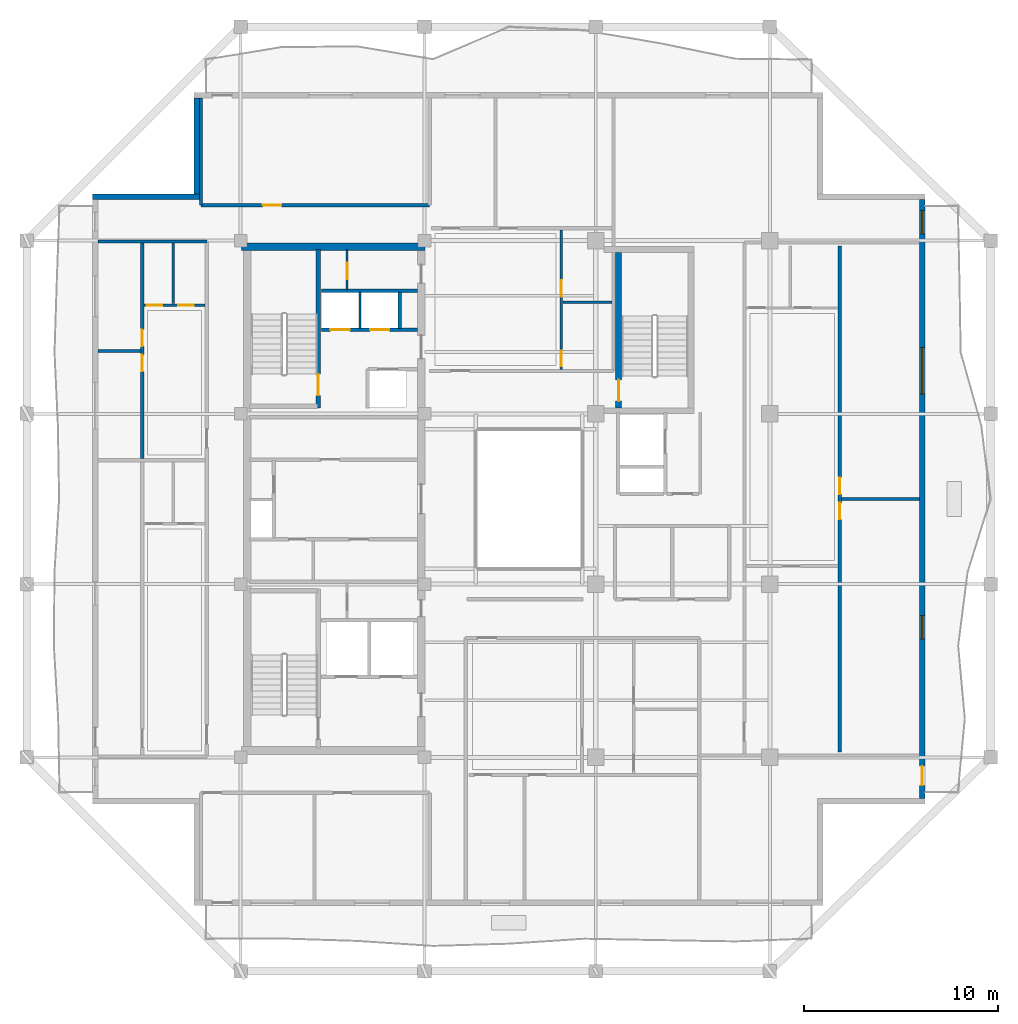
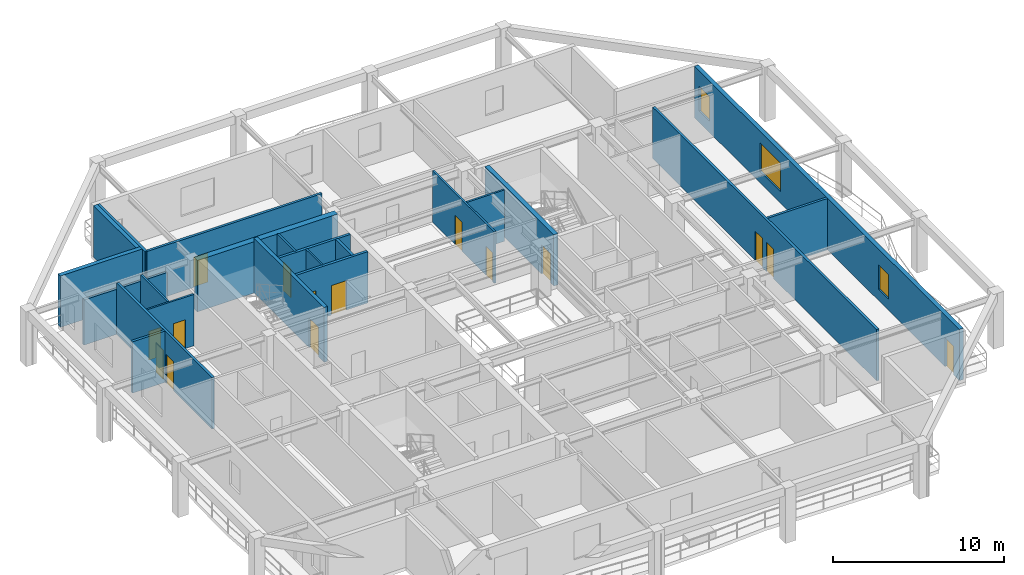
# One storey, part 5 of 11: 22 walls, 15 doors, 3 windows, 18 openings.
"""IFC4 building model written with IfcOpenShell, lengths in metres."""

from ifc_helpers import new_model, si_unit, direction, frame, frame_2d, origin, place, context, subcontext, project, spatial, rectangle, extrude, material, layer, layer_set, type_object, element, fill, save


model = new_model("IFC4")

# Units and contexts
model_context = context("Model", 3, precision=1e-05, world=origin(), true_north=direction((0.0, 1.0)))
body_context = subcontext(model_context, "Body", "Model", "MODEL_VIEW")
ifc_project = project(units=[si_unit("LENGTHUNIT", "METRE"), si_unit("AREAUNIT", "SQUARE_METRE"), si_unit("VOLUMEUNIT", "CUBIC_METRE"), si_unit("PLANEANGLEUNIT", "RADIAN"), si_unit("MASSUNIT", "GRAM", prefix="KILO")], contexts=[model_context])

# Site, building, storey
site_placement = place(None, origin())
site = spatial("IfcSite", under=ifc_project, at=site_placement, CompositionType="ELEMENT")
building_placement = place(site_placement, origin())
building = spatial("IfcBuilding", under=site, at=building_placement, Name="Kundavana Baori Tower", CompositionType="ELEMENT")
storey_placement = place(building_placement, frame((0.0, 0.0, 253.10009765625)))
storey = spatial("IfcBuildingStorey", under=building, at=storey_placement, Name="L62", CompositionType="ELEMENT", Elevation=253.10009765625)

# Wall
ifc_material_1 = material(Name="Concrete C50/60", Category="concrete")
ifc_layer_1 = layer(ifc_material_1, 0.39990234375, Name="WL-CORE-400")
ifc_layer_set_1 = layer_set([ifc_layer_1], Name="Concrete C50/60")
wall_type_1 = type_object("IfcWallType", Name="WL-CORE-400", PredefinedType="SHEAR", material=ifc_layer_set_1)
wall_1_placement = place(storey_placement, frame((15.5, 41.639892578125, 0.0), z_axis=(0.0, 0.0, 1.0), x_axis=(1.0, 0.0, 0.0)))
element("IfcWall", 1, at=wall_1_placement, inside=storey, type_object=wall_type_1, Name="L62 Offset Core North Shear Wall", PredefinedType="SHEAR", context=body_context, shape_type="SweptSolid", body=[
    extrude(rectangle(XDim=9.47998046875, YDim=0.39990234375, at=frame_2d((4.739990234375, 0.0))), origin(), (0.0, 0.0, 1.0), 3.659912109375),
])

# Wall, opening, door
wall_2_placement = place(storey_placement, frame((19.4599609375, 33.300048828125, 0.0), z_axis=(0.0, 0.0, 1.0), x_axis=(0.0, 1.0, 0.0)))
wall_2 = element("IfcWall", 2, at=wall_2_placement, inside=storey, type_object=wall_type_1, Name="WL-L62-ST2-E", PredefinedType="SHEAR", context=body_context, shape_type="SweptSolid", body=[
    extrude(rectangle(XDim=8.179931640625, YDim=0.239990234375, at=frame_2d((4.08984375, 0.0))), origin(), (0.0, 0.0, 1.0), 3.89990234375),
])
opening_1_placement = place(wall_2_placement, frame((0.64990234375, 0.0, 0.0)))
opening_1 = element("IfcOpeningElement", 3, at=opening_1_placement, cuts=wall_2, Name="Opening FD-110", PredefinedType="OPENING", context=body_context, shape_type="SweptSolid", body=[
    extrude(rectangle(XDim=1.10009765625, YDim=2.10009765625, at=frame_2d((0.550048828125, 1.050048828125))), frame((0.0, 0.1298828125, 0.0), z_axis=(0.0, -1.0, 0.0), x_axis=(1.0, 0.0, 0.0)), (0.0, 0.0, 1.0), 0.260009765625),
])
ifc_material_2 = material(Name="Galvanised Steel Fire-Rated Door Leaf", Category="steel")
door_type_1 = type_object("IfcDoorType", Name="DR-FD120-1100", OperationType="NOTDEFINED", PredefinedType="DOOR", material=ifc_material_2)
door_1_placement = place(opening_1_placement, origin())
door_1 = element("IfcDoor", 4, at=door_1_placement, inside=storey, type_object=door_type_1, Name="DR-L62-ST2", OperationType="SINGLE_SWING_RIGHT", OverallHeight=2.10009765625, OverallWidth=1.10009765625, PredefinedType="DOOR", context=body_context, shape_type="SweptSolid", body=[
    extrude(rectangle(XDim=1.10009765625, YDim=2.10009765625, at=frame_2d((0.550048828125, 1.050048828125))), frame((0.0, 0.02490234375, 0.0), z_axis=(0.0, -1.0, 0.0), x_axis=(1.0, 0.0, 0.0)), (0.0, 0.0, 1.0), 0.050048828125),
])
fill(opening_1, door_1)

# Wall, openings, door, windows
ifc_material_3 = material(Name="Red-Buff Dholpur Sandstone Cladding on Concrete C40/50", Category="masonry")
ifc_layer_2 = layer(ifc_material_3, 0.280029296875, Name="WL-EXT-SAND-280")
ifc_layer_set_2 = layer_set([ifc_layer_2], Name="Red-Buff Dholpur Sandstone Cladding on Concrete C40/50")
wall_type_2 = type_object("IfcWallType", Name="WL-EXT-SAND-280", PredefinedType="STANDARD", material=ifc_layer_set_2)
wall_3_placement = place(storey_placement, frame((50.659912109375, 13.1298828125, 0.0), z_axis=(0.0, 0.0, 1.0), x_axis=(0.0, 1.0, 0.0)))
wall_3 = element("IfcWall", 5, at=wall_3_placement, inside=storey, type_object=wall_type_2, Name="L62 Exterior Insulated Facade Wall 04", PredefinedType="STANDARD", context=body_context, shape_type="SweptSolid", body=[
    extrude(rectangle(XDim=30.940185546875, YDim=0.280029296875, at=frame_2d((15.47021484375, 0.0))), origin(), (0.0, 0.0, 1.0), 3.659912109375),
])
opening_2_placement = place(wall_3_placement, frame((0.669921875, 0.0, 0.0)))
opening_2 = element("IfcOpeningElement", 6, at=opening_2_placement, cuts=wall_3, Name="Opening BD-1", PredefinedType="OPENING", context=body_context, shape_type="SweptSolid", body=[
    extrude(rectangle(XDim=1.0, YDim=2.050048828125, at=frame_2d((0.5, 1.02490234375))), frame((0.0, 0.14990234375, 0.0), z_axis=(0.0, -1.0, 0.0), x_axis=(1.0, 0.0, 0.0)), (0.0, 0.0, 1.0), 0.300048828125),
])
opening_3_placement = place(wall_3_placement, frame((8.2451171875, 0.0, 0.800048828125)))
opening_3 = element("IfcOpeningElement", 7, at=opening_3_placement, cuts=wall_3, Name="Opening W-03", PredefinedType="OPENING", context=body_context, shape_type="SweptSolid", body=[
    extrude(rectangle(XDim=1.199951171875, YDim=1.75, at=frame_2d((0.60009765625, 0.875))), frame((0.0, 0.14990234375, 0.0), z_axis=(0.0, -1.0, 0.0), x_axis=(1.0, 0.0, 0.0)), (0.0, 0.0, 1.0), 0.300048828125),
])
opening_4_placement = place(wall_3_placement, frame((20.89501953125, 0.0, 0.800048828125)))
opening_4 = element("IfcOpeningElement", 8, at=opening_4_placement, cuts=wall_3, Name="Opening W-04", PredefinedType="OPENING", context=body_context, shape_type="SweptSolid", body=[
    extrude(rectangle(XDim=2.39990234375, YDim=2.050048828125, at=frame_2d((1.199951171875, 1.02490234375))), frame((0.0, 0.14990234375, 0.0), z_axis=(0.0, -1.0, 0.0), x_axis=(1.0, 0.0, 0.0)), (0.0, 0.0, 1.0), 0.300048828125),
])
opening_5_placement = place(wall_3_placement, frame((29.175048828125, 0.0, 0.800048828125)))
opening_5 = element("IfcOpeningElement", 9, at=opening_5_placement, cuts=wall_3, Name="Opening W-03", PredefinedType="OPENING", context=body_context, shape_type="SweptSolid", body=[
    extrude(rectangle(XDim=1.199951171875, YDim=1.75, at=frame_2d((0.60009765625, 0.875))), frame((0.0, 0.14990234375, 0.0), z_axis=(0.0, -1.0, 0.0), x_axis=(1.0, 0.0, 0.0)), (0.0, 0.0, 1.0), 0.300048828125),
])
ifc_material_4 = material(Name="Architectural Patinated Bronze Metalwork")
door_type_2 = type_object("IfcDoorType", Name="DR-EXT-LOG-1000", OperationType="NOTDEFINED", PredefinedType="DOOR", material=ifc_material_4)
door_2_placement = place(opening_2_placement, frame((1.0, 0.0, 0.0), z_axis=(0.0, 0.0, 1.0), x_axis=(-1.0, 0.0, 0.0)))
door_2 = element("IfcDoor", 10, at=door_2_placement, inside=storey, type_object=door_type_2, Name="L62 Loggia Balcony Access Door E", OperationType="SINGLE_SWING_RIGHT", OverallHeight=2.050048828125, OverallWidth=1.0, PredefinedType="DOOR", context=body_context, shape_type="SweptSolid", body=[
    extrude(rectangle(XDim=1.0, YDim=2.050048828125, at=frame_2d((0.5, 1.02490234375))), frame((0.0, 0.02490234375, 0.0), z_axis=(0.0, -1.0, 0.0), x_axis=(1.0, 0.0, 0.0)), (0.0, 0.0, 1.0), 0.050048828125),
])
fill(opening_2, door_2)
ifc_material_5 = material(Name="Double-Glazed Solar-Control Low-E Insulated Glass", Category="glass")
window_type_1 = type_object("IfcWindowType", Name="WIN-LOG-1200x1750", PartitioningType="SINGLE_PANEL", PredefinedType="WINDOW", material=ifc_material_5)
window_1_placement = place(opening_3_placement, origin())
window_1 = element("IfcWindow", 11, at=window_1_placement, inside=storey, type_object=window_type_1, Name="L62 Recessed Loggia Window E-2", OverallHeight=1.75, OverallWidth=1.199951171875, PartitioningType="SINGLE_PANEL", PredefinedType="WINDOW", context=body_context, shape_type="SweptSolid", body=[
    extrude(rectangle(XDim=1.199951171875, YDim=1.75, at=frame_2d((0.60009765625, 0.875))), frame((0.0, 0.030029296875, 0.0), z_axis=(0.0, -1.0, 0.0), x_axis=(1.0, 0.0, 0.0)), (0.0, 0.0, 1.0), 0.06005859375),
])
fill(opening_3, window_1)
window_2_placement = place(opening_5_placement, origin())
window_2 = element("IfcWindow", 12, at=window_2_placement, inside=storey, type_object=window_type_1, Name="L62 Recessed Loggia Window E-4", OverallHeight=1.75, OverallWidth=1.199951171875, PartitioningType="SINGLE_PANEL", PredefinedType="WINDOW", context=body_context, shape_type="SweptSolid", body=[
    extrude(rectangle(XDim=1.199951171875, YDim=1.75, at=frame_2d((0.60009765625, 0.875))), frame((0.0, 0.030029296875, 0.0), z_axis=(0.0, -1.0, 0.0), x_axis=(1.0, 0.0, 0.0)), (0.0, 0.0, 1.0), 0.06005859375),
])
fill(opening_5, window_2)
ifc_material_6 = material(Name="Double-Glazed Solar-Control Low-E Insulated Glass", Category="glass")
window_type_2 = type_object("IfcWindowType", Name="WIN-LOG-2400x2050", PartitioningType="SINGLE_PANEL", PredefinedType="WINDOW", material=ifc_material_6)
window_3_placement = place(opening_4_placement, origin())
window_3 = element("IfcWindow", 13, at=window_3_placement, inside=storey, type_object=window_type_2, Name="L62 Recessed Loggia Window E-3", OverallHeight=2.050048828125, OverallWidth=2.39990234375, PartitioningType="SINGLE_PANEL", PredefinedType="WINDOW", context=body_context, shape_type="SweptSolid", body=[
    extrude(rectangle(XDim=2.39990234375, YDim=2.050048828125, at=frame_2d((1.199951171875, 1.02490234375))), frame((0.0, 0.030029296875, 0.0), z_axis=(0.0, -1.0, 0.0), x_axis=(1.0, 0.0, 0.0)), (0.0, 0.0, 1.0), 0.06005859375),
])
fill(opening_4, window_3)

# Walls
wall_4_placement = place(storey_placement, frame((13.18994140625, 49.320068359375, 0.0), z_axis=(0.0, 0.0, 1.0), x_axis=(0.0, -1.0, 0.0)))
element("IfcWall", 14, at=wall_4_placement, inside=storey, type_object=wall_type_2, Name="L62 Exterior Insulated Facade Wall 08", PredefinedType="STANDARD", context=body_context, shape_type="SweptSolid", body=[
    extrude(rectangle(XDim=4.969970703125, YDim=0.280029296875, at=frame_2d((2.48486328125, 0.0))), origin(), (0.0, 0.0, 1.0), 3.659912109375),
])
wall_5_placement = place(storey_placement, frame((13.330078125, 44.2099609375, 0.0), z_axis=(0.0, 0.0, 1.0), x_axis=(-1.0, 0.0, 0.0)))
element("IfcWall", 15, at=wall_5_placement, inside=storey, type_object=wall_type_2, Name="L62 Exterior Insulated Facade Wall 09", PredefinedType="STANDARD", context=body_context, shape_type="SweptSolid", body=[
    extrude(rectangle(XDim=5.530029296875, YDim=0.280029296875, at=frame_2d((2.76513671875, 0.0))), origin(), (0.0, 0.0, 1.0), 3.659912109375),
])
ifc_material_7 = material(Name="Acoustic Gypsum Plasterboard on Galvanised Steel Studs", Category="steel")
ifc_layer_3 = layer(ifc_material_7, 0.1201171875, Name="WL-PART-120")
ifc_layer_set_3 = layer_set([ifc_layer_3], Name="Acoustic Gypsum Plasterboard on Galvanised Steel Studs")
wall_type_3 = type_object("IfcWallType", Name="WL-PART-120", PredefinedType="PARTITIONING", material=ifc_layer_set_3)
wall_6_placement = place(storey_placement, frame((21.6201171875, 37.39990234375, 0.0), z_axis=(0.0, 0.0, 1.0), x_axis=(0.0, 1.0, 0.0)))
element("IfcWall", 16, at=wall_6_placement, inside=storey, type_object=wall_type_3, Name="WL-L62-HR-DIV1", PredefinedType="PARTITIONING", context=body_context, shape_type="SweptSolid", body=[
    extrude(rectangle(XDim=1.900146484375, YDim=0.1201171875, at=frame_2d((0.9501953125, 0.0))), origin(), (0.0, 0.0, 1.0), 3.659912109375),
])

# Wall, opening, door
wall_7_placement = place(storey_placement, frame((20.949951171875, 39.39990234375, 0.0), z_axis=(0.0, 0.0, 1.0), x_axis=(0.0, 1.0, 0.0)))
wall_7 = element("IfcWall", 17, at=wall_7_placement, inside=storey, type_object=wall_type_3, Name="WL-L62-CSRV-D2", PredefinedType="PARTITIONING", context=body_context, shape_type="SweptSolid", body=[
    extrude(rectangle(XDim=2.080078125, YDim=0.1201171875, at=frame_2d((1.0400390625, 0.0))), origin(), (0.0, 0.0, 1.0), 3.659912109375),
])
opening_6_placement = place(wall_7_placement, frame((0.550048828125, 0.0, 0.0)))
opening_6 = element("IfcOpeningElement", 18, at=opening_6_placement, cuts=wall_7, Name="Opening FD-085", PredefinedType="OPENING", context=body_context, shape_type="SweptSolid", body=[
    extrude(rectangle(XDim=0.85009765625, YDim=2.06005859375, at=frame_2d((0.425048828125, 1.030029296875))), frame((0.0, 0.070068359375, 0.0), z_axis=(0.0, -1.0, 0.0), x_axis=(1.0, 0.0, 0.0)), (0.0, 0.0, 1.0), 0.14013671875),
])
ifc_material_8 = material(Name="Galvanised Steel Fire-Rated Door Leaf", Category="steel")
door_type_3 = type_object("IfcDoorType", Name="DR-FD60-850", OperationType="NOTDEFINED", PredefinedType="DOOR", material=ifc_material_8)
door_3_placement = place(opening_6_placement, origin())
door_3 = element("IfcDoor", 19, at=door_3_placement, inside=storey, type_object=door_type_3, Name="DR-L62-CSRV1", OperationType="SINGLE_SWING_RIGHT", OverallHeight=2.06005859375, OverallWidth=0.85009765625, PredefinedType="DOOR", context=body_context, shape_type="SweptSolid", body=[
    extrude(rectangle(XDim=0.85009765625, YDim=2.06005859375, at=frame_2d((0.425048828125, 1.030029296875))), frame((0.0, 0.02490234375, 0.0), z_axis=(0.0, -1.0, 0.0), x_axis=(1.0, 0.0, 0.0)), (0.0, 0.0, 1.0), 0.050048828125),
])
fill(opening_6, door_3)

ifc_material_9 = material(Name="Fire-Rated Gypsum Drywall on Galvanised Steel Studs", Category="steel")
ifc_layer_4 = layer(ifc_material_9, 0.1650390625, Name="WL-PART-165")
ifc_layer_set_4 = layer_set([ifc_layer_4], Name="Fire-Rated Gypsum Drywall on Galvanised Steel Studs")
wall_type_4 = type_object("IfcWallType", Name="WL-PART-165", PredefinedType="PARTITIONING", material=ifc_layer_set_4)
wall_8_placement = place(storey_placement, frame((13.39990234375, 43.780029296875, 0.0), z_axis=(0.0, 0.0, 1.0), x_axis=(1.0, 0.0, 0.0)))
wall_8 = element("IfcWall", 20, at=wall_8_placement, inside=storey, type_object=wall_type_4, Name="WL-L62-RNC", PredefinedType="PARTITIONING", context=body_context, shape_type="SweptSolid", body=[
    extrude(rectangle(XDim=11.820068359375, YDim=0.1650390625, at=frame_2d((5.91015625, 0.0))), origin(), (0.0, 0.0, 1.0), 3.659912109375),
])
opening_7_placement = place(wall_8_placement, frame((3.199951171875, 0.0, 0.0)))
opening_7 = element("IfcOpeningElement", 21, at=opening_7_placement, cuts=wall_8, Name="Opening ID-095", PredefinedType="OPENING", context=body_context, shape_type="SweptSolid", body=[
    extrude(rectangle(XDim=0.949951171875, YDim=2.080078125, at=frame_2d((0.47509765625, 1.0400390625))), frame((0.0, 0.092529296875, 0.0), z_axis=(0.0, -1.0, 0.0), x_axis=(1.0, 0.0, 0.0)), (0.0, 0.0, 1.0), 0.18505859375),
])
ifc_material_10 = material(Name="Engineered Teak Solid-Core Timber Veneer", Category="wood")
door_type_4 = type_object("IfcDoorType", Name="DR-INT-950", OperationType="NOTDEFINED", PredefinedType="DOOR", material=ifc_material_10)
door_4_placement = place(opening_7_placement, origin())
door_4 = element("IfcDoor", 22, at=door_4_placement, inside=storey, type_object=door_type_4, Name="DR-L62-RMNW", OperationType="SINGLE_SWING_RIGHT", OverallHeight=2.080078125, OverallWidth=0.949951171875, PredefinedType="DOOR", context=body_context, shape_type="SweptSolid", body=[
    extrude(rectangle(XDim=0.949951171875, YDim=2.080078125, at=frame_2d((0.47509765625, 1.0400390625))), frame((0.0, 0.02490234375, 0.0), z_axis=(0.0, -1.0, 0.0), x_axis=(1.0, 0.0, 0.0)), (0.0, 0.0, 1.0), 0.050048828125),
])
fill(opening_7, door_4)

# Walls
wall_9_placement = place(storey_placement, frame((13.39990234375, 43.780029296875, 0.0), z_axis=(0.0, 0.0, 1.0), x_axis=(0.0, 1.0, 0.0)))
element("IfcWall", 23, at=wall_9_placement, inside=storey, type_object=wall_type_4, Name="WL-L62-RNCW", PredefinedType="PARTITIONING", context=body_context, shape_type="SweptSolid", body=[
    extrude(rectangle(XDim=5.5400390625, YDim=0.1650390625, at=frame_2d((2.77001953125, 0.0))), origin(), (0.0, 0.0, 1.0), 3.659912109375),
])
wall_10_placement = place(storey_placement, frame((8.080078125, 41.89990234375, 0.0), z_axis=(0.0, 0.0, 1.0), x_axis=(1.0, 0.0, 0.0)))
element("IfcWall", 24, at=wall_10_placement, inside=storey, type_object=wall_type_4, Name="WL-L62-RWN", PredefinedType="PARTITIONING", context=body_context, shape_type="SweptSolid", body=[
    extrude(rectangle(XDim=5.619873046875, YDim=0.1650390625, at=frame_2d((2.81005859375, 0.0))), origin(), (0.0, 0.0, 1.0), 3.2099609375),
])

# Wall, openings, doors
wall_11_placement = place(storey_placement, frame((10.3701171875, 30.679931640625, 0.0), z_axis=(0.0, 0.0, 1.0), x_axis=(0.0, 1.0, 0.0)))
wall_11 = element("IfcWall", 25, at=wall_11_placement, inside=storey, type_object=wall_type_4, Name="WL-L62-W2-VT", PredefinedType="PARTITIONING", context=body_context, shape_type="SweptSolid", body=[
    extrude(rectangle(XDim=11.14013671875, YDim=0.1650390625, at=frame_2d((5.570068359375, 0.0))), origin(), (0.0, 0.0, 1.0), 3.659912109375),
])
opening_8_placement = place(wall_11_placement, frame((4.52001953125, 0.0, 0.0)))
opening_8 = element("IfcOpeningElement", 26, at=opening_8_placement, cuts=wall_11, Name="Opening ID-085", PredefinedType="OPENING", context=body_context, shape_type="SweptSolid", body=[
    extrude(rectangle(XDim=0.85009765625, YDim=2.080078125, at=frame_2d((0.425048828125, 1.0400390625))), frame((0.0, 0.092529296875, 0.0), z_axis=(0.0, -1.0, 0.0), x_axis=(1.0, 0.0, 0.0)), (0.0, 0.0, 1.0), 0.18505859375),
])
opening_9_placement = place(wall_11_placement, frame((5.820068359375, 0.0, 0.0)))
opening_9 = element("IfcOpeningElement", 27, at=opening_9_placement, cuts=wall_11, Name="Opening ID-085", PredefinedType="OPENING", context=body_context, shape_type="SweptSolid", body=[
    extrude(rectangle(XDim=0.85009765625, YDim=2.080078125, at=frame_2d((0.425048828125, 1.0400390625))), frame((0.0, 0.092529296875, 0.0), z_axis=(0.0, -1.0, 0.0), x_axis=(1.0, 0.0, 0.0)), (0.0, 0.0, 1.0), 0.18505859375),
])
ifc_material_11 = material(Name="Engineered Teak Solid-Core Timber Veneer", Category="wood")
door_type_5 = type_object("IfcDoorType", Name="DR-INT-850", OperationType="NOTDEFINED", PredefinedType="DOOR", material=ifc_material_11)
door_5_placement = place(opening_8_placement, frame((0.85009765625, 0.0, 0.0), z_axis=(0.0, 0.0, 1.0), x_axis=(-1.0, 0.0, 0.0)))
door_5 = element("IfcDoor", 28, at=door_5_placement, inside=storey, type_object=door_type_5, Name="DR-L62-W2-B1", OperationType="SINGLE_SWING_LEFT", OverallHeight=2.080078125, OverallWidth=0.85009765625, PredefinedType="DOOR", context=body_context, shape_type="SweptSolid", body=[
    extrude(rectangle(XDim=0.85009765625, YDim=2.080078125, at=frame_2d((0.425048828125, 1.0400390625))), frame((0.0, 0.02490234375, 0.0), z_axis=(0.0, -1.0, 0.0), x_axis=(1.0, 0.0, 0.0)), (0.0, 0.0, 1.0), 0.050048828125),
])
fill(opening_8, door_5)
door_6_placement = place(opening_9_placement, frame((0.85009765625, 0.0, 0.0), z_axis=(0.0, 0.0, 1.0), x_axis=(-1.0, 0.0, 0.0)))
door_6 = element("IfcDoor", 29, at=door_6_placement, inside=storey, type_object=door_type_5, Name="DR-L62-W2-B2", OperationType="SINGLE_SWING_RIGHT", OverallHeight=2.080078125, OverallWidth=0.85009765625, PredefinedType="DOOR", context=body_context, shape_type="SweptSolid", body=[
    extrude(rectangle(XDim=0.85009765625, YDim=2.080078125, at=frame_2d((0.425048828125, 1.0400390625))), frame((0.0, 0.02490234375, 0.0), z_axis=(0.0, -1.0, 0.0), x_axis=(1.0, 0.0, 0.0)), (0.0, 0.0, 1.0), 0.050048828125),
])
fill(opening_9, door_6)

# Wall
wall_12_placement = place(storey_placement, frame((8.080078125, 36.25, 0.0), z_axis=(0.0, 0.0, 1.0), x_axis=(1.0, 0.0, 0.0)))
element("IfcWall", 30, at=wall_12_placement, inside=storey, type_object=wall_type_4, Name="WL-L62-W2-BDH", PredefinedType="PARTITIONING", context=body_context, shape_type="SweptSolid", body=[
    extrude(rectangle(XDim=2.2099609375, YDim=0.1650390625, at=frame_2d((1.10498046875, 0.0))), origin(), (0.0, 0.0, 1.0), 3.659912109375),
])

# Wall, openings, doors
wall_13_placement = place(storey_placement, frame((46.407958984375, 15.530029296875, 0.0), z_axis=(0.0, 0.0, 1.0), x_axis=(0.0, 1.0, 0.0)))
wall_13 = element("IfcWall", 31, at=wall_13_placement, inside=storey, type_object=wall_type_4, Name="WL-L62-E1-VT", PredefinedType="PARTITIONING", context=body_context, shape_type="SweptSolid", body=[
    extrude(rectangle(XDim=26.139892578125, YDim=0.1650390625, at=frame_2d((13.06982421875, 0.0))), origin(), (0.0, 0.0, 1.0), 3.659912109375),
])
opening_10_placement = place(wall_13_placement, frame((12.02001953125, 0.0, 0.0)))
opening_10 = element("IfcOpeningElement", 32, at=opening_10_placement, cuts=wall_13, Name="Opening ID-085", PredefinedType="OPENING", context=body_context, shape_type="SweptSolid", body=[
    extrude(rectangle(XDim=0.85009765625, YDim=2.080078125, at=frame_2d((0.425048828125, 1.0400390625))), frame((0.0, 0.092529296875, 0.0), z_axis=(0.0, -1.0, 0.0), x_axis=(1.0, 0.0, 0.0)), (0.0, 0.0, 1.0), 0.18505859375),
])
opening_11_placement = place(wall_13_placement, frame((13.320068359375, 0.0, 0.0)))
opening_11 = element("IfcOpeningElement", 33, at=opening_11_placement, cuts=wall_13, Name="Opening ID-085", PredefinedType="OPENING", context=body_context, shape_type="SweptSolid", body=[
    extrude(rectangle(XDim=0.85009765625, YDim=2.080078125, at=frame_2d((0.425048828125, 1.0400390625))), frame((0.0, 0.092529296875, 0.0), z_axis=(0.0, -1.0, 0.0), x_axis=(1.0, 0.0, 0.0)), (0.0, 0.0, 1.0), 0.18505859375),
])
door_7_placement = place(opening_10_placement, origin())
door_7 = element("IfcDoor", 34, at=door_7_placement, inside=storey, type_object=door_type_5, Name="DR-L62-E1-B1", OperationType="SINGLE_SWING_LEFT", OverallHeight=2.080078125, OverallWidth=0.85009765625, PredefinedType="DOOR", context=body_context, shape_type="SweptSolid", body=[
    extrude(rectangle(XDim=0.85009765625, YDim=2.080078125, at=frame_2d((0.425048828125, 1.0400390625))), frame((0.0, 0.02490234375, 0.0), z_axis=(0.0, -1.0, 0.0), x_axis=(1.0, 0.0, 0.0)), (0.0, 0.0, 1.0), 0.050048828125),
])
fill(opening_10, door_7)
door_8_placement = place(opening_11_placement, origin())
door_8 = element("IfcDoor", 35, at=door_8_placement, inside=storey, type_object=door_type_5, Name="DR-L62-E1-B2", OperationType="SINGLE_SWING_RIGHT", OverallHeight=2.080078125, OverallWidth=0.85009765625, PredefinedType="DOOR", context=body_context, shape_type="SweptSolid", body=[
    extrude(rectangle(XDim=0.85009765625, YDim=2.080078125, at=frame_2d((0.425048828125, 1.0400390625))), frame((0.0, 0.02490234375, 0.0), z_axis=(0.0, -1.0, 0.0), x_axis=(1.0, 0.0, 0.0)), (0.0, 0.0, 1.0), 0.050048828125),
])
fill(opening_11, door_8)

# Wall
wall_14_placement = place(storey_placement, frame((46.488037109375, 28.60009765625, 0.0), z_axis=(0.0, 0.0, 1.0), x_axis=(1.0, 0.0, 0.0)))
element("IfcWall", 36, at=wall_14_placement, inside=storey, type_object=wall_type_4, Name="WL-L62-E1-BDH", PredefinedType="PARTITIONING", context=body_context, shape_type="SweptSolid", body=[
    extrude(rectangle(XDim=4.031982421875, YDim=0.1650390625, at=frame_2d((2.01611328125, 0.0))), origin(), (0.0, 0.0, 1.0), 3.659912109375),
])

# Wall, openings, doors
ifc_material_12 = material(Name="Autoclaved Aerated Concrete Blockwork Masonry", Category="masonry")
ifc_layer_5 = layer(ifc_material_12, 0.179931640625, Name="WL-SHAFT-180")
ifc_layer_set_5 = layer_set([ifc_layer_5], Name="Autoclaved Aerated Concrete Blockwork Masonry")
wall_type_5 = type_object("IfcWallType", Name="WL-SHAFT-180", PredefinedType="SOLIDWALL", material=ifc_layer_set_5)
wall_15_placement = place(storey_placement, frame((19.639892578125, 37.340087890625, 0.0), z_axis=(0.0, 0.0, 1.0), x_axis=(1.0, 0.0, 0.0)))
wall_15 = element("IfcWall", 37, at=wall_15_placement, inside=storey, type_object=wall_type_5, Name="WL-L62-HRLOB-N", PredefinedType="SOLIDWALL", context=body_context, shape_type="SweptSolid", body=[
    extrude(rectangle(XDim=4.940185546875, YDim=0.179931640625, at=frame_2d((2.47021484375, 0.0))), origin(), (0.0, 0.0, 1.0), 3.659912109375),
])
opening_12_placement = place(wall_15_placement, frame((0.449951171875, 0.0, 0.0)))
opening_12 = element("IfcOpeningElement", 38, at=opening_12_placement, cuts=wall_15, Name="Opening LD-100", PredefinedType="OPENING", context=body_context, shape_type="SweptSolid", body=[
    extrude(rectangle(XDim=1.0, YDim=2.10009765625, at=frame_2d((0.5, 1.050048828125))), frame((0.0, 0.10009765625, 0.0), z_axis=(0.0, -1.0, 0.0), x_axis=(1.0, 0.0, 0.0)), (0.0, 0.0, 1.0), 0.199951171875),
])
opening_13_placement = place(wall_15_placement, frame((2.5, 0.0, 0.0)))
opening_13 = element("IfcOpeningElement", 39, at=opening_13_placement, cuts=wall_15, Name="Opening LD-100", PredefinedType="OPENING", context=body_context, shape_type="SweptSolid", body=[
    extrude(rectangle(XDim=1.0, YDim=2.10009765625, at=frame_2d((0.5, 1.050048828125))), frame((0.0, 0.10009765625, 0.0), z_axis=(0.0, -1.0, 0.0), x_axis=(1.0, 0.0, 0.0)), (0.0, 0.0, 1.0), 0.199951171875),
])
ifc_material_13 = material(Name="Galvanised Steel Fire-Rated Door Leaf", Category="steel")
door_type_6 = type_object("IfcDoorType", Name="DR-SLIDE-LD1000", OperationType="NOTDEFINED", PredefinedType="DOOR", material=ifc_material_13)
door_9_placement = place(opening_12_placement, frame((1.0, 0.0, 0.0), z_axis=(0.0, 0.0, 1.0), x_axis=(-1.0, 0.0, 0.0)))
door_9 = element("IfcDoor", 40, at=door_9_placement, inside=storey, type_object=door_type_6, Name="DR-L62-LD-LP09", OperationType="DOUBLE_DOOR_SLIDING", OverallHeight=2.10009765625, OverallWidth=1.0, PredefinedType="DOOR", context=body_context, shape_type="SweptSolid", body=[
    extrude(rectangle(XDim=1.0, YDim=2.10009765625, at=frame_2d((0.5, 1.050048828125))), frame((0.0, 0.02490234375, 0.0), z_axis=(0.0, -1.0, 0.0), x_axis=(1.0, 0.0, 0.0)), (0.0, 0.0, 1.0), 0.050048828125),
])
fill(opening_12, door_9)
door_10_placement = place(opening_13_placement, frame((1.0, 0.0, 0.0), z_axis=(0.0, 0.0, 1.0), x_axis=(-1.0, 0.0, 0.0)))
door_10 = element("IfcDoor", 41, at=door_10_placement, inside=storey, type_object=door_type_6, Name="DR-L62-LD-LP10", OperationType="DOUBLE_DOOR_SLIDING", OverallHeight=2.10009765625, OverallWidth=1.0, PredefinedType="DOOR", context=body_context, shape_type="SweptSolid", body=[
    extrude(rectangle(XDim=1.0, YDim=2.10009765625, at=frame_2d((0.5, 1.050048828125))), frame((0.0, 0.02490234375, 0.0), z_axis=(0.0, -1.0, 0.0), x_axis=(1.0, 0.0, 0.0)), (0.0, 0.0, 1.0), 0.050048828125),
])
fill(opening_13, door_10)

# Walls
wall_16_placement = place(storey_placement, frame((19.639892578125, 39.360107421875, 0.0), z_axis=(0.0, 0.0, 1.0), x_axis=(1.0, 0.0, 0.0)))
element("IfcWall", 42, at=wall_16_placement, inside=storey, type_object=wall_type_5, Name="WL-L62-HRLOB-TOP", PredefinedType="SOLIDWALL", context=body_context, shape_type="SweptSolid", body=[
    extrude(rectangle(XDim=4.940185546875, YDim=0.179931640625, at=frame_2d((2.47021484375, 0.0))), origin(), (0.0, 0.0, 1.0), 3.659912109375),
])
wall_17_placement = place(storey_placement, frame((23.659912109375, 37.39990234375, 0.0), z_axis=(0.0, 0.0, 1.0), x_axis=(0.0, 1.0, 0.0)))
element("IfcWall", 43, at=wall_17_placement, inside=storey, type_object=wall_type_5, Name="WL-L62-HR-DIV2", PredefinedType="SOLIDWALL", context=body_context, shape_type="SweptSolid", body=[
    extrude(rectangle(XDim=1.900146484375, YDim=0.179931640625, at=frame_2d((0.9501953125, 0.0))), origin(), (0.0, 0.0, 1.0), 3.659912109375),
])

# Wall, opening, door
ifc_material_14 = material(Name="Concrete C50/60", Category="concrete")
ifc_layer_6 = layer(ifc_material_14, 0.300048828125, Name="WL-ST3-300")
ifc_layer_set_6 = layer_set([ifc_layer_6], Name="Concrete C50/60")
wall_type_6 = type_object("IfcWallType", Name="WL-ST3-300", PredefinedType="SHEAR", material=ifc_layer_set_6)
wall_18_placement = place(storey_placement, frame((34.97998046875, 33.31005859375, 0.0), z_axis=(0.0, 0.0, 1.0), x_axis=(0.0, 1.0, 0.0)))
wall_18 = element("IfcWall", 44, at=wall_18_placement, inside=storey, type_object=wall_type_6, Name="L62 Stair ST3 West Shear Wall", PredefinedType="SHEAR", context=body_context, shape_type="SweptSolid", body=[
    extrude(rectangle(XDim=8.030029296875, YDim=0.300048828125, at=frame_2d((4.01513671875, 0.0))), origin(), (0.0, 0.0, 1.0), 3.659912109375),
])
opening_14_placement = place(wall_18_placement, frame((0.35009765625, 0.0, 0.0)))
opening_14 = element("IfcOpeningElement", 45, at=opening_14_placement, cuts=wall_18, Name="Opening FD-110", PredefinedType="OPENING", context=body_context, shape_type="SweptSolid", body=[
    extrude(rectangle(XDim=1.10009765625, YDim=2.10009765625, at=frame_2d((0.550048828125, 1.050048828125))), frame((0.0, 0.16015625, 0.0), z_axis=(0.0, -1.0, 0.0), x_axis=(1.0, 0.0, 0.0)), (0.0, 0.0, 1.0), 0.320068359375),
])
door_11_placement = place(opening_14_placement, origin())
door_11 = element("IfcDoor", 46, at=door_11_placement, inside=storey, type_object=door_type_1, Name="DR-L62-ST3-W", OperationType="SINGLE_SWING_LEFT", OverallHeight=2.10009765625, OverallWidth=1.10009765625, PredefinedType="DOOR", context=body_context, shape_type="SweptSolid", body=[
    extrude(rectangle(XDim=1.10009765625, YDim=2.10009765625, at=frame_2d((0.550048828125, 1.050048828125))), frame((0.0, 0.02490234375, 0.0), z_axis=(0.0, -1.0, 0.0), x_axis=(1.0, 0.0, 0.0)), (0.0, 0.0, 1.0), 0.050048828125),
])
fill(opening_14, door_11)

# Wall, openings, doors
ifc_material_15 = material(Name="Autoclaved Aerated Concrete Blockwork Masonry", Category="masonry")
ifc_layer_7 = layer(ifc_material_15, 0.125, Name="WL-WET-120")
ifc_layer_set_7 = layer_set([ifc_layer_7], Name="Autoclaved Aerated Concrete Blockwork Masonry")
wall_type_7 = type_object("IfcWallType", Name="WL-WET-120", PredefinedType="PLUMBINGWALL", material=ifc_layer_set_7)
wall_19_placement = place(storey_placement, frame((10.449951171875, 38.6201171875, 0.0), z_axis=(0.0, 0.0, 1.0), x_axis=(1.0, 0.0, 0.0)))
wall_19 = element("IfcWall", 47, at=wall_19_placement, inside=storey, type_object=wall_type_7, Name="WL-L62-W2-KH", PredefinedType="PLUMBINGWALL", context=body_context, shape_type="SweptSolid", body=[
    extrude(rectangle(XDim=3.170166015625, YDim=0.125, at=frame_2d((1.5849609375, 0.0))), origin(), (0.0, 0.0, 1.0), 3.659912109375),
])
opening_15_placement = place(wall_19_placement, frame((0.159912109375, 0.0, 0.0)))
opening_15 = element("IfcOpeningElement", 48, at=opening_15_placement, cuts=wall_19, Name="Opening WD-080", PredefinedType="OPENING", context=body_context, shape_type="SweptSolid", body=[
    extrude(rectangle(XDim=0.800048828125, YDim=2.050048828125, at=frame_2d((0.39990234375, 1.02490234375))), frame((0.0, 0.072509765625, 0.0), z_axis=(0.0, -1.0, 0.0), x_axis=(1.0, 0.0, 0.0)), (0.0, 0.0, 1.0), 0.14501953125),
])
opening_16_placement = place(wall_19_placement, frame((1.781982421875, 0.0, 0.0)))
opening_16 = element("IfcOpeningElement", 49, at=opening_16_placement, cuts=wall_19, Name="Opening WD-080", PredefinedType="OPENING", context=body_context, shape_type="SweptSolid", body=[
    extrude(rectangle(XDim=0.800048828125, YDim=2.050048828125, at=frame_2d((0.39990234375, 1.02490234375))), frame((0.0, 0.072509765625, 0.0), z_axis=(0.0, -1.0, 0.0), x_axis=(1.0, 0.0, 0.0)), (0.0, 0.0, 1.0), 0.14501953125),
])
ifc_material_16 = material(Name="Engineered Teak Solid-Core Timber Veneer", Category="wood")
door_type_7 = type_object("IfcDoorType", Name="DR-WET-800", OperationType="NOTDEFINED", PredefinedType="DOOR", material=ifc_material_16)
door_12_placement = place(opening_15_placement, origin())
door_12 = element("IfcDoor", 50, at=door_12_placement, inside=storey, type_object=door_type_7, Name="DR-L62-W2-BT", OperationType="SINGLE_SWING_LEFT", OverallHeight=2.050048828125, OverallWidth=0.800048828125, PredefinedType="DOOR", context=body_context, shape_type="SweptSolid", body=[
    extrude(rectangle(XDim=0.800048828125, YDim=2.050048828125, at=frame_2d((0.39990234375, 1.02490234375))), frame((0.0, 0.02490234375, 0.0), z_axis=(0.0, -1.0, 0.0), x_axis=(1.0, 0.0, 0.0)), (0.0, 0.0, 1.0), 0.050048828125),
])
fill(opening_15, door_12)
door_13_placement = place(opening_16_placement, origin())
door_13 = element("IfcDoor", 51, at=door_13_placement, inside=storey, type_object=door_type_7, Name="DR-L62-W2-KT", OperationType="SINGLE_SWING_RIGHT", OverallHeight=2.050048828125, OverallWidth=0.800048828125, PredefinedType="DOOR", context=body_context, shape_type="SweptSolid", body=[
    extrude(rectangle(XDim=0.800048828125, YDim=2.050048828125, at=frame_2d((0.39990234375, 1.02490234375))), frame((0.0, 0.02490234375, 0.0), z_axis=(0.0, -1.0, 0.0), x_axis=(1.0, 0.0, 0.0)), (0.0, 0.0, 1.0), 0.050048828125),
])
fill(opening_16, door_13)

# Wall
wall_20_placement = place(storey_placement, frame((11.971923828125, 38.699951171875, 0.0), z_axis=(0.0, 0.0, 1.0), x_axis=(0.0, 1.0, 0.0)))
element("IfcWall", 52, at=wall_20_placement, inside=storey, type_object=wall_type_7, Name="WL-L62-W2-BV", PredefinedType="PLUMBINGWALL", context=body_context, shape_type="SweptSolid", body=[
    extrude(rectangle(XDim=3.1201171875, YDim=0.125, at=frame_2d((1.56005859375, 0.0))), origin(), (0.0, 0.0, 1.0), 3.659912109375),
])

# Wall, openings, doors
wall_21_placement = place(storey_placement, frame((32.02490234375, 35.300048828125, 0.0), z_axis=(0.0, 0.0, 1.0), x_axis=(0.0, 1.0, 0.0)))
wall_21 = element("IfcWall", 53, at=wall_21_placement, inside=storey, type_object=wall_type_7, Name="WL-L62-N1-KT", PredefinedType="PLUMBINGWALL", context=body_context, shape_type="SweptSolid", body=[
    extrude(rectangle(XDim=7.2099609375, YDim=0.125, at=frame_2d((3.60498046875, 0.0))), origin(), (0.0, 0.0, 1.0), 3.659912109375),
])
opening_17_placement = place(wall_21_placement, frame((0.159912109375, 0.0, 0.0)))
opening_17 = element("IfcOpeningElement", 54, at=opening_17_placement, cuts=wall_21, Name="Opening WD-080", PredefinedType="OPENING", context=body_context, shape_type="SweptSolid", body=[
    extrude(rectangle(XDim=0.800048828125, YDim=2.050048828125, at=frame_2d((0.39990234375, 1.02490234375))), frame((0.0, 0.072509765625, 0.0), z_axis=(0.0, -1.0, 0.0), x_axis=(1.0, 0.0, 0.0)), (0.0, 0.0, 1.0), 0.14501953125),
])
opening_18_placement = place(wall_21_placement, frame((3.740966796875, 0.0, 0.0)))
opening_18 = element("IfcOpeningElement", 55, at=opening_18_placement, cuts=wall_21, Name="Opening ID-085", PredefinedType="OPENING", context=body_context, shape_type="SweptSolid", body=[
    extrude(rectangle(XDim=0.85009765625, YDim=2.080078125, at=frame_2d((0.425048828125, 1.0400390625))), frame((0.0, 0.072509765625, 0.0), z_axis=(0.0, -1.0, 0.0), x_axis=(1.0, 0.0, 0.0)), (0.0, 0.0, 1.0), 0.14501953125),
])
door_14_placement = place(opening_18_placement, origin())
door_14 = element("IfcDoor", 56, at=door_14_placement, inside=storey, type_object=door_type_5, Name="DR-L62-N1-KT", OperationType="SINGLE_SWING_RIGHT", OverallHeight=2.080078125, OverallWidth=0.85009765625, PredefinedType="DOOR", context=body_context, shape_type="SweptSolid", body=[
    extrude(rectangle(XDim=0.85009765625, YDim=2.080078125, at=frame_2d((0.425048828125, 1.0400390625))), frame((0.0, 0.02490234375, 0.0), z_axis=(0.0, -1.0, 0.0), x_axis=(1.0, 0.0, 0.0)), (0.0, 0.0, 1.0), 0.050048828125),
])
fill(opening_18, door_14)
door_15_placement = place(opening_17_placement, origin())
door_15 = element("IfcDoor", 57, at=door_15_placement, inside=storey, type_object=door_type_7, Name="DR-L62-N1-BT", OperationType="SINGLE_SWING_LEFT", OverallHeight=2.050048828125, OverallWidth=0.800048828125, PredefinedType="DOOR", context=body_context, shape_type="SweptSolid", body=[
    extrude(rectangle(XDim=0.800048828125, YDim=2.050048828125, at=frame_2d((0.39990234375, 1.02490234375))), frame((0.0, 0.02490234375, 0.0), z_axis=(0.0, -1.0, 0.0), x_axis=(1.0, 0.0, 0.0)), (0.0, 0.0, 1.0), 0.050048828125),
])
fill(opening_17, door_15)

# Wall
wall_22_placement = place(storey_placement, frame((32.10498046875, 38.760986328125, 0.0), z_axis=(0.0, 0.0, 1.0), x_axis=(1.0, 0.0, 0.0)))
element("IfcWall", 58, at=wall_22_placement, inside=storey, type_object=wall_type_7, Name="WL-L62-N1-BT", PredefinedType="PLUMBINGWALL", context=body_context, shape_type="SweptSolid", body=[
    extrude(rectangle(XDim=2.534912109375, YDim=0.125, at=frame_2d((1.267578125, 0.0))), origin(), (0.0, 0.0, 1.0), 3.659912109375),
])

save(model, "model.ifc")
